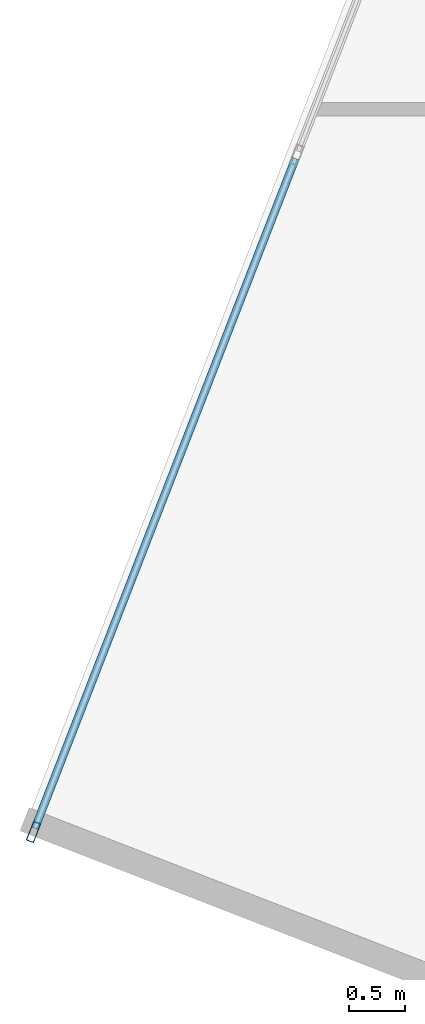
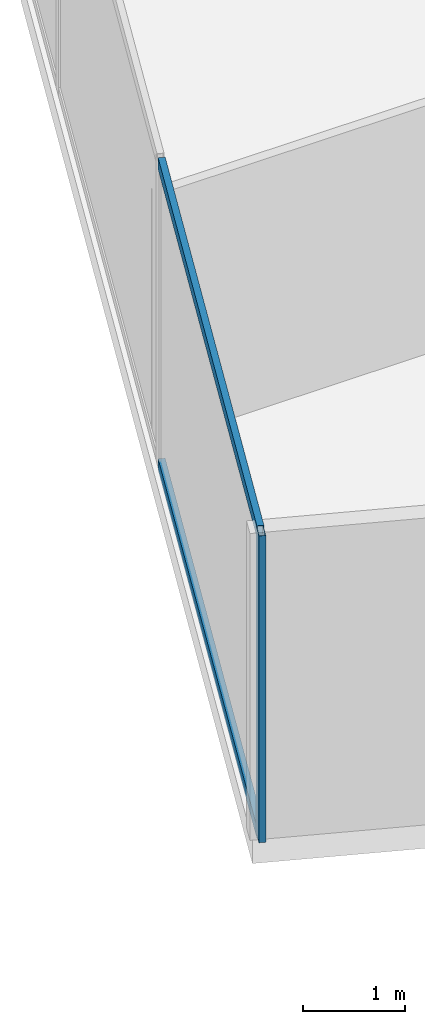
# One storey, part 5 of 26: 3 members, 1 element without a shape of its own.
"""IFC4 building model written with IfcOpenShell, lengths in metres."""

from ifc_helpers import new_model, si_unit, direction, frame, origin, origin_2d, place, context, subcontext, project, spatial, hollow_rectangle, extrude, source, transform, mapped, material, material_profile, profile_set, type_object, type_shapes, element, aggregate, save


model = new_model("IFC4")

# Units and contexts
model_context = context("Model", 3, precision=1e-05, world=origin(), true_north=direction((0.0, 1.0)))
body_context = subcontext(model_context, "Body", "Model", "MODEL_VIEW")
ifc_project = project(units=[si_unit("LENGTHUNIT", "METRE"), si_unit("AREAUNIT", "SQUARE_METRE"), si_unit("VOLUMEUNIT", "CUBIC_METRE"), si_unit("PLANEANGLEUNIT", "RADIAN"), si_unit("MASSUNIT", "GRAM", prefix="KILO")], contexts=[model_context])

# Site, building, storey
site_placement = place(None, origin())
site = spatial("IfcSite", under=ifc_project, at=site_placement, CompositionType="ELEMENT")
building_placement = place(site_placement, origin())
building = spatial("IfcBuilding", under=site, at=building_placement, Name="Krantzveldt Concourse Tower", CompositionType="ELEMENT")
storey_placement = place(building_placement, frame((0.0, 0.0, 133.5)))
storey = spatial("IfcBuildingStorey", under=building, at=storey_placement, Name="L32", CompositionType="ELEMENT", Elevation=133.5)

# Curtain wall, members
ifc_material = material(Name="Anodised aluminium 6063-T6", Category="aluminium")
curtain_wall_type = type_object("IfcCurtainWallType", Name="CW2", PredefinedType="USERDEFINED", material=ifc_material)
curtain_wall_placement = place(storey_placement, origin())
curtain_wall = element("IfcCurtainWall", 1, at=curtain_wall_placement, inside=storey, type_object=curtain_wall_type, Name="CW-L32-F01", ObjectType="UNITISED CURTAIN WALL", PredefinedType="USERDEFINED")
ifc_material_profile_1 = material_profile(ifc_material, hollow_rectangle(XDim=0.070068359375, YDim=0.179931640625, WallThickness=0.0048828125, at=origin_2d()), Name="Anodised aluminium 6063-T6", Category="aluminium")
ifc_profile_set_1 = profile_set([ifc_material_profile_1], Name="Anodised aluminium 6063-T6 - ALU-MULL 180x70x5")
member_type_1 = type_object("IfcMemberType", Name="CW-MUL-180", PredefinedType="MULLION", material=ifc_profile_set_1)
shared_shape_1 = source(origin(), body_context, "Body", "SweptSolid", [
    extrude(hollow_rectangle(XDim=0.070068359375, YDim=0.179931640625, WallThickness=0.0048828125, at=origin_2d()), origin(), (0.0, 0.0, 1.0), 3.669921875),
])
type_shapes(member_type_1, [shared_shape_1])
member_1_placement = place(storey_placement, frame((7.25634765625, 17.10009765625, 0.0), z_axis=(0.0, 0.0, 1.0), x_axis=(0.93200790248, -0.362437952917, 0.0)))
member_1 = element("IfcMember", 2, at=member_1_placement, type_object=member_type_1, Name="CW-Z12 mullion 7", PredefinedType="MULLION", context=body_context, shape_type="MappedRepresentation", body=[
    mapped(shared_shape_1, transform((0.0, 0.0, 0.0), x_axis=(1.0, 0.0, 0.0), y_axis=(0.0, 1.0, 0.0), z_axis=(0.0, 0.0, 1.0), scale=1.0)),
])
ifc_material_profile_2 = material_profile(ifc_material, hollow_rectangle(XDim=0.070068359375, YDim=0.139892578125, WallThickness=0.0048828125, at=origin_2d()), Name="Anodised aluminium 6063-T6", Category="aluminium")
ifc_profile_set_2 = profile_set([ifc_material_profile_2], Name="Anodised aluminium 6063-T6 - ALU-TRAN 140x70x5")
member_type_2 = type_object("IfcMemberType", Name="CW-TRN-150", PredefinedType="USERDEFINED", material=ifc_profile_set_2)
shared_shape_2 = source(origin(), body_context, "Body", "SweptSolid", [
    extrude(hollow_rectangle(XDim=0.070068359375, YDim=0.139892578125, WallThickness=0.0048828125, at=origin_2d()), origin(), (0.0, 0.0, 1.0), 6.361572265625),
])
type_shapes(member_type_2, [shared_shape_2])
member_2_placement = place(storey_placement, frame((9.57470703125, 23.061767578125, 0.034912109375), z_axis=(-0.362440705101, -0.93200683221, 0.0), x_axis=(0.93200683221, -0.362440705101, 0.0)))
member_2 = element("IfcMember", 3, at=member_2_placement, type_object=member_type_2, Name="CW-Z12 transom 6.1", ObjectType="TRANSOM", PredefinedType="USERDEFINED", context=body_context, shape_type="MappedRepresentation", body=[
    mapped(shared_shape_2, transform((0.0, 0.0, 0.0), x_axis=(1.0, 0.0, 0.0), y_axis=(0.0, 1.0, 0.0), z_axis=(0.0, 0.0, 1.0), scale=1.0)),
])
member_3_placement = place(storey_placement, frame((9.57470703125, 23.061767578125, 3.635009765625), z_axis=(-0.362440705101, -0.93200683221, 0.0), x_axis=(0.93200683221, -0.362440705101, 0.0)))
member_3 = element("IfcMember", 4, at=member_3_placement, type_object=member_type_2, Name="CW-Z12 transom 6.2", ObjectType="TRANSOM", PredefinedType="USERDEFINED", context=body_context, shape_type="MappedRepresentation", body=[
    mapped(shared_shape_2, transform((0.0, 0.0, 0.0), x_axis=(1.0, 0.0, 0.0), y_axis=(0.0, 1.0, 0.0), z_axis=(0.0, 0.0, 1.0), scale=1.0)),
])
aggregate(curtain_wall, [member_1, member_2, member_3])

save(model, "model.ifc")
